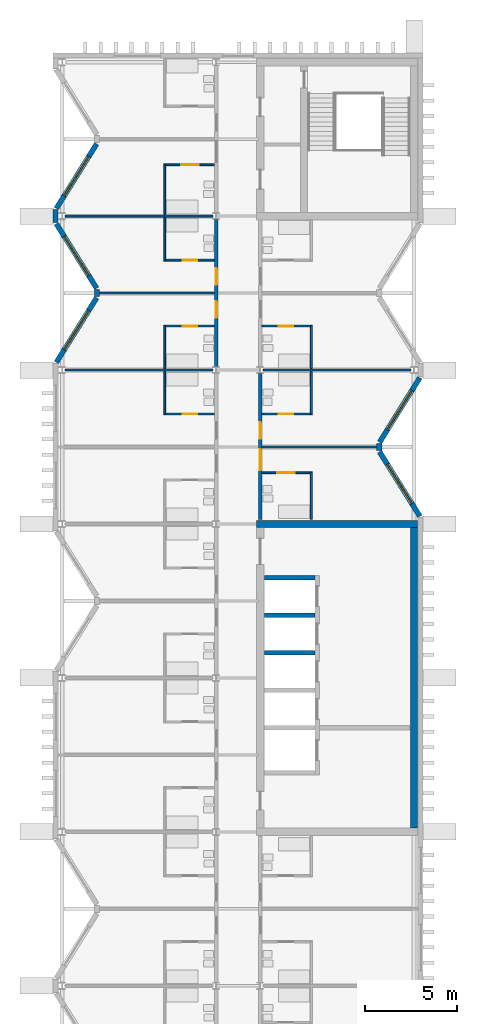
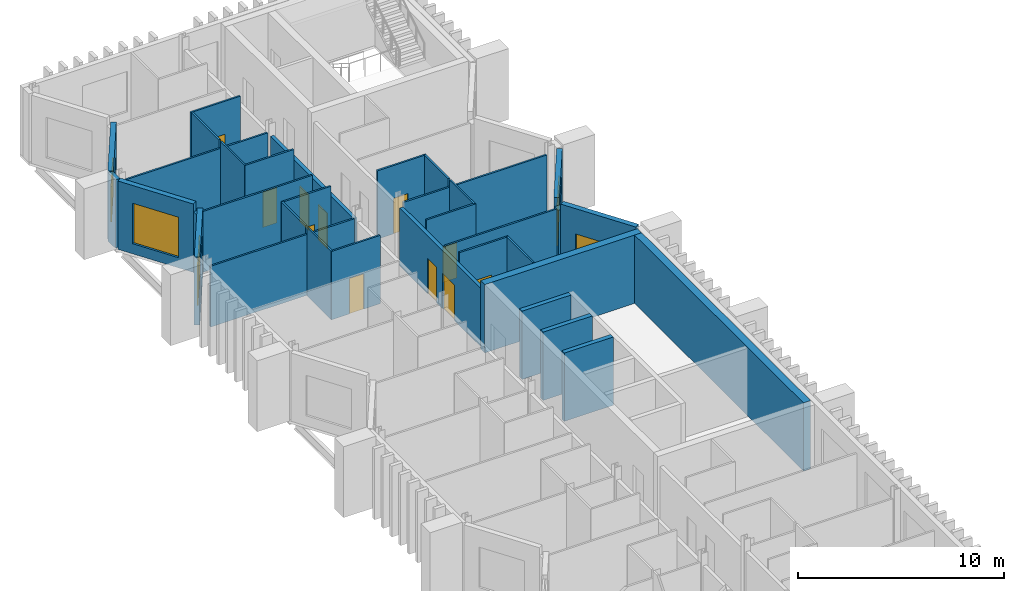
# One storey, part 7 of 11: 34 walls, 11 doors, 5 windows, 16 openings.
"""IFC4 building model written with IfcOpenShell, lengths in metres."""

from ifc_helpers import new_model, si_unit, direction, frame, frame_2d, origin, place, context, subcontext, project, spatial, rectangle, extrude, material, layer, layer_set, type_object, element, fill, save


model = new_model("IFC4")

# Units and contexts
model_context = context("Model", 3, precision=1e-05, world=origin(), true_north=direction((0.0, 1.0)))
body_context = subcontext(model_context, "Body", "Model", "MODEL_VIEW")
ifc_project = project(units=[si_unit("LENGTHUNIT", "METRE"), si_unit("AREAUNIT", "SQUARE_METRE"), si_unit("VOLUMEUNIT", "CUBIC_METRE"), si_unit("PLANEANGLEUNIT", "RADIAN"), si_unit("MASSUNIT", "GRAM", prefix="KILO")], contexts=[model_context])

# Site, building, storey
site_placement = place(None, origin())
site = spatial("IfcSite", under=ifc_project, at=site_placement, CompositionType="ELEMENT")
building_placement = place(site_placement, origin())
building = spatial("IfcBuilding", under=site, at=building_placement, Name="Cresset Court Congress Hotel", CompositionType="ELEMENT")
storey_placement = place(building_placement, frame((0.0, 0.0, 39.60009765625)))
storey = spatial("IfcBuildingStorey", under=building, at=storey_placement, Name="L09", CompositionType="ELEMENT", Elevation=39.60009765625)

# Wall, openings, doors
ifc_material_1 = material(Name="Gypsum board partition")
ifc_layer_1 = layer(ifc_material_1, 0.199951171875)
ifc_layer_set_1 = layer_set([ifc_layer_1], Name="Corridor wall 200")
wall_type_1 = type_object("IfcWallType", Name="Corridor wall 200", PredefinedType="PARTITIONING", material=ifc_layer_set_1)
wall_1_placement = place(storey_placement, frame((165.60009765625, 50.574951171875, 0.0), z_axis=(0.0, 0.0, 1.0), x_axis=(0.0, 1.0, 0.0)))
wall_1 = element("IfcWall", 1, at=wall_1_placement, inside=storey, type_object=wall_type_1, Name="A.wl.L09.076", PredefinedType="PARTITIONING", context=body_context, shape_type="SweptSolid", body=[
    extrude(rectangle(XDim=8.050048828125, YDim=0.199951171875, at=frame_2d((4.02490234375, 0.0))), origin(), (0.0, 0.0, 1.0), 3.449951171875),
])
opening_1_placement = place(wall_1_placement, frame((2.675048828125, 0.0, 0.0)))
opening_1 = element("IfcOpeningElement", 2, at=opening_1_placement, cuts=wall_1, Name="Opening DA-09-26", PredefinedType="OPENING", context=body_context, shape_type="SweptSolid", body=[
    extrude(rectangle(XDim=0.89990234375, YDim=2.10009765625, at=frame_2d((0.449951171875, 1.050048828125))), frame((0.0, 0.10986328125, 0.0), z_axis=(0.0, -1.0, 0.0), x_axis=(1.0, 0.0, 0.0)), (0.0, 0.0, 1.0), 0.219970703125),
])
opening_2_placement = place(wall_1_placement, frame((4.47509765625, 0.0, 0.0)))
opening_2 = element("IfcOpeningElement", 3, at=opening_2_placement, cuts=wall_1, Name="Opening DA-09-28", PredefinedType="OPENING", context=body_context, shape_type="SweptSolid", body=[
    extrude(rectangle(XDim=0.89990234375, YDim=2.10009765625, at=frame_2d((0.449951171875, 1.050048828125))), frame((0.0, 0.10986328125, 0.0), z_axis=(0.0, -1.0, 0.0), x_axis=(1.0, 0.0, 0.0)), (0.0, 0.0, 1.0), 0.219970703125),
])
ifc_material_2 = material(Name="timber", Category="wood")
door_type_1 = type_object("IfcDoorType", Name="Guest-room entry door 900x2100 FD30S", OperationType="SINGLE_SWING_LEFT", PredefinedType="DOOR", material=ifc_material_2)
door_1_placement = place(opening_1_placement, origin())
door_1 = element("IfcDoor", 4, at=door_1_placement, inside=storey, type_object=door_type_1, Name="Door DA-09-26", OperationType="SINGLE_SWING_RIGHT", OverallHeight=2.10009765625, OverallWidth=0.89990234375, PredefinedType="DOOR", context=body_context, shape_type="SweptSolid", body=[
    extrude(rectangle(XDim=0.89990234375, YDim=2.10009765625, at=frame_2d((0.449951171875, 1.050048828125))), frame((0.0, 0.02490234375, 0.0), z_axis=(0.0, -1.0, 0.0), x_axis=(1.0, 0.0, 0.0)), (0.0, 0.0, 1.0), 0.050048828125),
])
fill(opening_1, door_1)
door_2_placement = place(opening_2_placement, origin())
door_2 = element("IfcDoor", 5, at=door_2_placement, inside=storey, type_object=door_type_1, Name="Door DA-09-28", OperationType="SINGLE_SWING_LEFT", OverallHeight=2.10009765625, OverallWidth=0.89990234375, PredefinedType="DOOR", context=body_context, shape_type="SweptSolid", body=[
    extrude(rectangle(XDim=0.89990234375, YDim=2.10009765625, at=frame_2d((0.449951171875, 1.050048828125))), frame((0.0, 0.02490234375, 0.0), z_axis=(0.0, -1.0, 0.0), x_axis=(1.0, 0.0, 0.0)), (0.0, 0.0, 1.0), 0.050048828125),
])
fill(opening_2, door_2)

wall_2_placement = place(storey_placement, frame((168.0, 42.25, 0.0), z_axis=(0.0, 0.0, 1.0), x_axis=(0.0, 1.0, 0.0)))
wall_2 = element("IfcWall", 6, at=wall_2_placement, inside=storey, type_object=wall_type_1, Name="A.wl.L09.080", PredefinedType="PARTITIONING", context=body_context, shape_type="SweptSolid", body=[
    extrude(rectangle(XDim=7.97509765625, YDim=0.199951171875, at=frame_2d((3.987548828125, 0.0))), origin(), (0.0, 0.0, 1.0), 3.449951171875),
])
opening_3_placement = place(wall_2_placement, frame((2.675048828125, 0.0, 0.0)))
opening_3 = element("IfcOpeningElement", 7, at=opening_3_placement, cuts=wall_2, Name="Opening DA-09-42", PredefinedType="OPENING", context=body_context, shape_type="SweptSolid", body=[
    extrude(rectangle(XDim=1.14990234375, YDim=2.10009765625, at=frame_2d((0.574951171875, 1.050048828125))), frame((0.0, 0.10986328125, 0.0), z_axis=(0.0, -1.0, 0.0), x_axis=(1.0, 0.0, 0.0)), (0.0, 0.0, 1.0), 0.219970703125),
])
opening_4_placement = place(wall_2_placement, frame((4.39990234375, 0.0, 0.0)))
opening_4 = element("IfcOpeningElement", 8, at=opening_4_placement, cuts=wall_2, Name="Opening DA-09-44", PredefinedType="OPENING", context=body_context, shape_type="SweptSolid", body=[
    extrude(rectangle(XDim=0.89990234375, YDim=2.10009765625, at=frame_2d((0.449951171875, 1.050048828125))), frame((0.0, 0.10986328125, 0.0), z_axis=(0.0, -1.0, 0.0), x_axis=(1.0, 0.0, 0.0)), (0.0, 0.0, 1.0), 0.219970703125),
])
ifc_material_3 = material(Name="timber", Category="wood")
door_type_2 = type_object("IfcDoorType", Name="Accessible guest-room entry door 1150x2100 FD30S", OperationType="SINGLE_SWING_LEFT", PredefinedType="DOOR", material=ifc_material_3)
door_3_placement = place(opening_3_placement, origin())
door_3 = element("IfcDoor", 9, at=door_3_placement, inside=storey, type_object=door_type_2, Name="Door DA-09-42", OperationType="SINGLE_SWING_RIGHT", OverallHeight=2.10009765625, OverallWidth=1.14990234375, PredefinedType="DOOR", context=body_context, shape_type="SweptSolid", body=[
    extrude(rectangle(XDim=1.14990234375, YDim=2.10009765625, at=frame_2d((0.574951171875, 1.050048828125))), frame((0.0, 0.02490234375, 0.0), z_axis=(0.0, -1.0, 0.0), x_axis=(1.0, 0.0, 0.0)), (0.0, 0.0, 1.0), 0.050048828125),
])
fill(opening_3, door_3)
door_4_placement = place(opening_4_placement, origin())
door_4 = element("IfcDoor", 10, at=door_4_placement, inside=storey, type_object=door_type_1, Name="Door DA-09-44", OperationType="SINGLE_SWING_LEFT", OverallHeight=2.10009765625, OverallWidth=0.89990234375, PredefinedType="DOOR", context=body_context, shape_type="SweptSolid", body=[
    extrude(rectangle(XDim=0.89990234375, YDim=2.10009765625, at=frame_2d((0.449951171875, 1.050048828125))), frame((0.0, 0.02490234375, 0.0), z_axis=(0.0, -1.0, 0.0), x_axis=(1.0, 0.0, 0.0)), (0.0, 0.0, 1.0), 0.050048828125),
])
fill(opening_4, door_4)

# Wall
ifc_material_4 = material(Name="Gypsum board partition")
ifc_layer_2 = layer(ifc_material_4, 0.10009765625)
ifc_layer_set_2 = layer_set([ifc_layer_2], Name="En-suite wall 100")
wall_type_2 = type_object("IfcWallType", Name="En-suite wall 100", PredefinedType="PARTITIONING", material=ifc_layer_set_2)
wall_3_placement = place(storey_placement, frame((162.800048828125, 48.0, 0.0), z_axis=(0.0, 0.0, 1.0), x_axis=(0.0, 1.0, 0.0)))
element("IfcWall", 11, at=wall_3_placement, inside=storey, type_object=wall_type_2, Name="A.wl.L09.023", PredefinedType="PARTITIONING", context=body_context, shape_type="SweptSolid", body=[
    extrude(rectangle(XDim=2.324951171875, YDim=0.10009765625, at=frame_2d((1.16259765625, 0.0))), origin(), (0.0, 0.0, 1.0), 4.0498046875),
])

# Wall, opening, door
wall_4_placement = place(storey_placement, frame((162.75, 48.0, 0.0), z_axis=(0.0, 0.0, 1.0), x_axis=(1.0, 0.0, 0.0)))
wall_4 = element("IfcWall", 12, at=wall_4_placement, inside=storey, type_object=wall_type_2, Name="A.wl.L09.024", PredefinedType="PARTITIONING", context=body_context, shape_type="SweptSolid", body=[
    extrude(rectangle(XDim=2.75, YDim=0.10009765625, at=frame_2d((1.375, 0.0))), origin(), (0.0, 0.0, 1.0), 4.0498046875),
])
opening_5_placement = place(wall_4_placement, frame((1.030029296875, 0.0, 0.0)))
opening_5 = element("IfcOpeningElement", 13, at=opening_5_placement, cuts=wall_4, Name="Opening DA-09-23", PredefinedType="OPENING", context=body_context, shape_type="SweptSolid", body=[
    extrude(rectangle(XDim=0.800048828125, YDim=2.10009765625, at=frame_2d((0.39990234375, 1.050048828125))), frame((0.0, 0.06005859375, 0.0), z_axis=(0.0, -1.0, 0.0), x_axis=(1.0, 0.0, 0.0)), (0.0, 0.0, 1.0), 0.1201171875),
])
ifc_material_5 = material(Name="timber", Category="wood")
door_type_3 = type_object("IfcDoorType", Name="En-suite door 800x2100", OperationType="SINGLE_SWING_LEFT", PredefinedType="DOOR", material=ifc_material_5)
door_5_placement = place(opening_5_placement, origin())
door_5 = element("IfcDoor", 14, at=door_5_placement, inside=storey, type_object=door_type_3, Name="Door DA-09-23", OperationType="SINGLE_SWING_LEFT", OverallHeight=2.10009765625, OverallWidth=0.800048828125, PredefinedType="DOOR", context=body_context, shape_type="SweptSolid", body=[
    extrude(rectangle(XDim=0.800048828125, YDim=2.10009765625, at=frame_2d((0.39990234375, 1.050048828125))), frame((0.0, 0.02490234375, 0.0), z_axis=(0.0, -1.0, 0.0), x_axis=(1.0, 0.0, 0.0)), (0.0, 0.0, 1.0), 0.050048828125),
])
fill(opening_5, door_5)

# Wall
wall_5_placement = place(storey_placement, frame((162.800048828125, 50.47509765625, 0.0), z_axis=(0.0, 0.0, 1.0), x_axis=(0.0, 1.0, 0.0)))
element("IfcWall", 15, at=wall_5_placement, inside=storey, type_object=wall_type_2, Name="A.wl.L09.025", PredefinedType="PARTITIONING", context=body_context, shape_type="SweptSolid", body=[
    extrude(rectangle(XDim=2.324951171875, YDim=0.10009765625, at=frame_2d((1.16259765625, 0.0))), origin(), (0.0, 0.0, 1.0), 4.0498046875),
])

# Wall, opening, door
wall_6_placement = place(storey_placement, frame((162.75, 52.800048828125, 0.0), z_axis=(0.0, 0.0, 1.0), x_axis=(1.0, 0.0, 0.0)))
wall_6 = element("IfcWall", 16, at=wall_6_placement, inside=storey, type_object=wall_type_2, Name="A.wl.L09.026", PredefinedType="PARTITIONING", context=body_context, shape_type="SweptSolid", body=[
    extrude(rectangle(XDim=2.75, YDim=0.10009765625, at=frame_2d((1.375, 0.0))), origin(), (0.0, 0.0, 1.0), 4.0498046875),
])
opening_6_placement = place(wall_6_placement, frame((1.030029296875, 0.0, 0.0)))
opening_6 = element("IfcOpeningElement", 17, at=opening_6_placement, cuts=wall_6, Name="Opening DA-09-25", PredefinedType="OPENING", context=body_context, shape_type="SweptSolid", body=[
    extrude(rectangle(XDim=0.800048828125, YDim=2.10009765625, at=frame_2d((0.39990234375, 1.050048828125))), frame((0.0, 0.06005859375, 0.0), z_axis=(0.0, -1.0, 0.0), x_axis=(1.0, 0.0, 0.0)), (0.0, 0.0, 1.0), 0.1201171875),
])
door_6_placement = place(opening_6_placement, origin())
door_6 = element("IfcDoor", 18, at=door_6_placement, inside=storey, type_object=door_type_3, Name="Door DA-09-25", OperationType="SINGLE_SWING_RIGHT", OverallHeight=2.10009765625, OverallWidth=0.800048828125, PredefinedType="DOOR", context=body_context, shape_type="SweptSolid", body=[
    extrude(rectangle(XDim=0.800048828125, YDim=2.10009765625, at=frame_2d((0.39990234375, 1.050048828125))), frame((0.0, 0.02490234375, 0.0), z_axis=(0.0, -1.0, 0.0), x_axis=(1.0, 0.0, 0.0)), (0.0, 0.0, 1.0), 0.050048828125),
])
fill(opening_6, door_6)

# Wall
wall_7_placement = place(storey_placement, frame((162.800048828125, 56.39990234375, 0.0), z_axis=(0.0, 0.0, 1.0), x_axis=(0.0, 1.0, 0.0)))
element("IfcWall", 19, at=wall_7_placement, inside=storey, type_object=wall_type_2, Name="A.wl.L09.027", PredefinedType="PARTITIONING", context=body_context, shape_type="SweptSolid", body=[
    extrude(rectangle(XDim=2.3251953125, YDim=0.10009765625, at=frame_2d((1.16259765625, 0.0))), origin(), (0.0, 0.0, 1.0), 4.0498046875),
])

# Wall, opening, door
wall_8_placement = place(storey_placement, frame((162.75, 56.39990234375, 0.0), z_axis=(0.0, 0.0, 1.0), x_axis=(1.0, 0.0, 0.0)))
wall_8 = element("IfcWall", 20, at=wall_8_placement, inside=storey, type_object=wall_type_2, Name="A.wl.L09.028", PredefinedType="PARTITIONING", context=body_context, shape_type="SweptSolid", body=[
    extrude(rectangle(XDim=2.75, YDim=0.10009765625, at=frame_2d((1.375, 0.0))), origin(), (0.0, 0.0, 1.0), 4.0498046875),
])
opening_7_placement = place(wall_8_placement, frame((1.030029296875, 0.0, 0.0)))
opening_7 = element("IfcOpeningElement", 21, at=opening_7_placement, cuts=wall_8, Name="Opening DA-09-27", PredefinedType="OPENING", context=body_context, shape_type="SweptSolid", body=[
    extrude(rectangle(XDim=0.800048828125, YDim=2.10009765625, at=frame_2d((0.39990234375, 1.050048828125))), frame((0.0, 0.06005859375, 0.0), z_axis=(0.0, -1.0, 0.0), x_axis=(1.0, 0.0, 0.0)), (0.0, 0.0, 1.0), 0.1201171875),
])
door_7_placement = place(opening_7_placement, origin())
door_7 = element("IfcDoor", 22, at=door_7_placement, inside=storey, type_object=door_type_3, Name="Door DA-09-27", OperationType="SINGLE_SWING_LEFT", OverallHeight=2.10009765625, OverallWidth=0.800048828125, PredefinedType="DOOR", context=body_context, shape_type="SweptSolid", body=[
    extrude(rectangle(XDim=0.800048828125, YDim=2.10009765625, at=frame_2d((0.39990234375, 1.050048828125))), frame((0.0, 0.02490234375, 0.0), z_axis=(0.0, -1.0, 0.0), x_axis=(1.0, 0.0, 0.0)), (0.0, 0.0, 1.0), 0.050048828125),
])
fill(opening_7, door_7)

# Wall
wall_9_placement = place(storey_placement, frame((162.800048828125, 58.875, 0.0), z_axis=(0.0, 0.0, 1.0), x_axis=(0.0, 1.0, 0.0)))
element("IfcWall", 23, at=wall_9_placement, inside=storey, type_object=wall_type_2, Name="A.wl.L09.029", PredefinedType="PARTITIONING", context=body_context, shape_type="SweptSolid", body=[
    extrude(rectangle(XDim=2.72509765625, YDim=0.10009765625, at=frame_2d((1.362548828125, 0.0))), origin(), (0.0, 0.0, 1.0), 4.0498046875),
])

# Wall, opening, door
wall_10_placement = place(storey_placement, frame((162.75, 61.60009765625, 0.0), z_axis=(0.0, 0.0, 1.0), x_axis=(1.0, 0.0, 0.0)))
wall_10 = element("IfcWall", 24, at=wall_10_placement, inside=storey, type_object=wall_type_2, Name="A.wl.L09.030", PredefinedType="PARTITIONING", context=body_context, shape_type="SweptSolid", body=[
    extrude(rectangle(XDim=2.75, YDim=0.10009765625, at=frame_2d((1.375, 0.0))), origin(), (0.0, 0.0, 1.0), 4.0498046875),
])
opening_8_placement = place(wall_10_placement, frame((0.955078125, 0.0, 0.0)))
opening_8 = element("IfcOpeningElement", 25, at=opening_8_placement, cuts=wall_10, Name="Opening DA-09-29", PredefinedType="OPENING", context=body_context, shape_type="SweptSolid", body=[
    extrude(rectangle(XDim=0.949951171875, YDim=2.10009765625, at=frame_2d((0.47509765625, 1.050048828125))), frame((0.0, 0.06005859375, 0.0), z_axis=(0.0, -1.0, 0.0), x_axis=(1.0, 0.0, 0.0)), (0.0, 0.0, 1.0), 0.1201171875),
])
ifc_material_6 = material(Name="timber", Category="wood")
door_type_4 = type_object("IfcDoorType", Name="Accessible en-suite door 950x2100", OperationType="SINGLE_SWING_LEFT", PredefinedType="DOOR", material=ifc_material_6)
door_8_placement = place(opening_8_placement, origin())
door_8 = element("IfcDoor", 26, at=door_8_placement, inside=storey, type_object=door_type_4, Name="Door DA-09-29", OperationType="SINGLE_SWING_RIGHT", OverallHeight=2.10009765625, OverallWidth=0.949951171875, PredefinedType="DOOR", context=body_context, shape_type="SweptSolid", body=[
    extrude(rectangle(XDim=0.949951171875, YDim=2.10009765625, at=frame_2d((0.47509765625, 1.050048828125))), frame((0.0, 0.02490234375, 0.0), z_axis=(0.0, -1.0, 0.0), x_axis=(1.0, 0.0, 0.0)), (0.0, 0.0, 1.0), 0.050048828125),
])
fill(opening_8, door_8)

# Wall
wall_11_placement = place(storey_placement, frame((170.800048828125, 42.25, 0.0), z_axis=(0.0, 0.0, 1.0), x_axis=(0.0, 1.0, 0.0)))
element("IfcWall", 27, at=wall_11_placement, inside=storey, type_object=wall_type_2, Name="A.wl.L09.041", PredefinedType="PARTITIONING", context=body_context, shape_type="SweptSolid", body=[
    extrude(rectangle(XDim=2.550048828125, YDim=0.10009765625, at=frame_2d((1.27490234375, 0.0))), origin(), (0.0, 0.0, 1.0), 4.0498046875),
])

# Wall, opening, door
wall_12_placement = place(storey_placement, frame((170.85009765625, 44.800048828125, 0.0), z_axis=(0.0, 0.0, 1.0), x_axis=(-1.0, 0.0, 0.0)))
wall_12 = element("IfcWall", 28, at=wall_12_placement, inside=storey, type_object=wall_type_2, Name="A.wl.L09.042", PredefinedType="PARTITIONING", context=body_context, shape_type="SweptSolid", body=[
    extrude(rectangle(XDim=2.75, YDim=0.10009765625, at=frame_2d((1.375, 0.0))), origin(), (0.0, 0.0, 1.0), 4.0498046875),
])
opening_9_placement = place(wall_12_placement, frame((0.955078125, 0.0, 0.0)))
opening_9 = element("IfcOpeningElement", 29, at=opening_9_placement, cuts=wall_12, Name="Opening DA-09-41", PredefinedType="OPENING", context=body_context, shape_type="SweptSolid", body=[
    extrude(rectangle(XDim=0.949951171875, YDim=2.10009765625, at=frame_2d((0.47509765625, 1.050048828125))), frame((0.0, 0.06005859375, 0.0), z_axis=(0.0, -1.0, 0.0), x_axis=(1.0, 0.0, 0.0)), (0.0, 0.0, 1.0), 0.1201171875),
])
door_9_placement = place(opening_9_placement, origin())
door_9 = element("IfcDoor", 30, at=door_9_placement, inside=storey, type_object=door_type_4, Name="Door DA-09-41", OperationType="SINGLE_SWING_RIGHT", OverallHeight=2.10009765625, OverallWidth=0.949951171875, PredefinedType="DOOR", context=body_context, shape_type="SweptSolid", body=[
    extrude(rectangle(XDim=0.949951171875, YDim=2.10009765625, at=frame_2d((0.47509765625, 1.050048828125))), frame((0.0, 0.02490234375, 0.0), z_axis=(0.0, -1.0, 0.0), x_axis=(1.0, 0.0, 0.0)), (0.0, 0.0, 1.0), 0.050048828125),
])
fill(opening_9, door_9)

# Wall
wall_13_placement = place(storey_placement, frame((170.800048828125, 48.0, 0.0), z_axis=(0.0, 0.0, 1.0), x_axis=(0.0, 1.0, 0.0)))
element("IfcWall", 31, at=wall_13_placement, inside=storey, type_object=wall_type_2, Name="A.wl.L09.043", PredefinedType="PARTITIONING", context=body_context, shape_type="SweptSolid", body=[
    extrude(rectangle(XDim=2.324951171875, YDim=0.10009765625, at=frame_2d((1.16259765625, 0.0))), origin(), (0.0, 0.0, 1.0), 4.0498046875),
])

# Wall, opening, door
wall_14_placement = place(storey_placement, frame((170.85009765625, 48.0, 0.0), z_axis=(0.0, 0.0, 1.0), x_axis=(-1.0, 0.0, 0.0)))
wall_14 = element("IfcWall", 32, at=wall_14_placement, inside=storey, type_object=wall_type_2, Name="A.wl.L09.044", PredefinedType="PARTITIONING", context=body_context, shape_type="SweptSolid", body=[
    extrude(rectangle(XDim=2.75, YDim=0.10009765625, at=frame_2d((1.375, 0.0))), origin(), (0.0, 0.0, 1.0), 4.0498046875),
])
opening_10_placement = place(wall_14_placement, frame((1.030029296875, 0.0, 0.0)))
opening_10 = element("IfcOpeningElement", 33, at=opening_10_placement, cuts=wall_14, Name="Opening DA-09-43", PredefinedType="OPENING", context=body_context, shape_type="SweptSolid", body=[
    extrude(rectangle(XDim=0.800048828125, YDim=2.10009765625, at=frame_2d((0.39990234375, 1.050048828125))), frame((0.0, 0.06005859375, 0.0), z_axis=(0.0, -1.0, 0.0), x_axis=(1.0, 0.0, 0.0)), (0.0, 0.0, 1.0), 0.1201171875),
])
door_10_placement = place(opening_10_placement, origin())
door_10 = element("IfcDoor", 34, at=door_10_placement, inside=storey, type_object=door_type_3, Name="Door DA-09-43", OperationType="SINGLE_SWING_LEFT", OverallHeight=2.10009765625, OverallWidth=0.800048828125, PredefinedType="DOOR", context=body_context, shape_type="SweptSolid", body=[
    extrude(rectangle(XDim=0.800048828125, YDim=2.10009765625, at=frame_2d((0.39990234375, 1.050048828125))), frame((0.0, 0.02490234375, 0.0), z_axis=(0.0, -1.0, 0.0), x_axis=(1.0, 0.0, 0.0)), (0.0, 0.0, 1.0), 0.050048828125),
])
fill(opening_10, door_10)

# Wall
wall_15_placement = place(storey_placement, frame((170.800048828125, 50.47509765625, 0.0), z_axis=(0.0, 0.0, 1.0), x_axis=(0.0, 1.0, 0.0)))
element("IfcWall", 35, at=wall_15_placement, inside=storey, type_object=wall_type_2, Name="A.wl.L09.045", PredefinedType="PARTITIONING", context=body_context, shape_type="SweptSolid", body=[
    extrude(rectangle(XDim=2.324951171875, YDim=0.10009765625, at=frame_2d((1.16259765625, 0.0))), origin(), (0.0, 0.0, 1.0), 4.0498046875),
])

# Wall, opening, door
wall_16_placement = place(storey_placement, frame((170.85009765625, 52.800048828125, 0.0), z_axis=(0.0, 0.0, 1.0), x_axis=(-1.0, 0.0, 0.0)))
wall_16 = element("IfcWall", 36, at=wall_16_placement, inside=storey, type_object=wall_type_2, Name="A.wl.L09.046", PredefinedType="PARTITIONING", context=body_context, shape_type="SweptSolid", body=[
    extrude(rectangle(XDim=2.75, YDim=0.10009765625, at=frame_2d((1.375, 0.0))), origin(), (0.0, 0.0, 1.0), 4.0498046875),
])
opening_11_placement = place(wall_16_placement, frame((1.030029296875, 0.0, 0.0)))
opening_11 = element("IfcOpeningElement", 37, at=opening_11_placement, cuts=wall_16, Name="Opening DA-09-45", PredefinedType="OPENING", context=body_context, shape_type="SweptSolid", body=[
    extrude(rectangle(XDim=0.800048828125, YDim=2.10009765625, at=frame_2d((0.39990234375, 1.050048828125))), frame((0.0, 0.06005859375, 0.0), z_axis=(0.0, -1.0, 0.0), x_axis=(1.0, 0.0, 0.0)), (0.0, 0.0, 1.0), 0.1201171875),
])
door_11_placement = place(opening_11_placement, origin())
door_11 = element("IfcDoor", 38, at=door_11_placement, inside=storey, type_object=door_type_3, Name="Door DA-09-45", OperationType="SINGLE_SWING_RIGHT", OverallHeight=2.10009765625, OverallWidth=0.800048828125, PredefinedType="DOOR", context=body_context, shape_type="SweptSolid", body=[
    extrude(rectangle(XDim=0.800048828125, YDim=2.10009765625, at=frame_2d((0.39990234375, 1.050048828125))), frame((0.0, 0.02490234375, 0.0), z_axis=(0.0, -1.0, 0.0), x_axis=(1.0, 0.0, 0.0)), (0.0, 0.0, 1.0), 0.050048828125),
])
fill(opening_11, door_11)

# Wall, opening, window
ifc_material_7 = material(Name="Precast concrete C50", Category="concrete")
ifc_layer_3 = layer(ifc_material_7, 0.280029296875)
ifc_layer_set_3 = layer_set([ifc_layer_3], Name="External wall 280")
wall_type_3 = type_object("IfcWallType", Name="External wall 280", PredefinedType="SOLIDWALL", material=ifc_layer_set_3)
wall_17_placement = place(storey_placement, frame((156.88623046875, 50.82421875, 0.0), z_axis=(0.0, 0.0, 1.0), x_axis=(0.529018946142, 0.848610013271, 0.0)))
wall_17 = element("IfcWall", 39, at=wall_17_placement, inside=storey, type_object=wall_type_3, Name="A.ew.L09.Wn.6.0", PredefinedType="SOLIDWALL", context=body_context, shape_type="SweptSolid", body=[
    extrude(rectangle(XDim=4.144287109375, YDim=0.280029296875, at=frame_2d((2.072265625, 0.0))), origin(), (0.0, 0.0, 1.0), 4.0498046875),
])
opening_12_placement = place(wall_17_placement, frame((0.812255859375, 0.0, 0.60009765625)))
opening_12 = element("IfcOpeningElement", 40, at=opening_12_placement, cuts=wall_17, Name="Opening NA-09-13", PredefinedType="OPENING", context=body_context, shape_type="SweptSolid", body=[
    extrude(rectangle(XDim=2.52001953125, YDim=2.39990234375, at=frame_2d((1.260009765625, 1.199951171875))), frame((0.0, 0.14990234375, 0.0), z_axis=(0.0, -1.0, 0.0), x_axis=(1.0, 0.0, 0.0)), (0.0, 0.0, 1.0), 0.300048828125),
])
ifc_material_8 = material(Name="Aluminium and glass", Category="aluminium")
window_type_1 = type_object("IfcWindowType", Name="Window 2520x2400", PartitioningType="SINGLE_PANEL", PredefinedType="WINDOW", material=ifc_material_8)
window_1_placement = place(opening_12_placement, origin())
window_1 = element("IfcWindow", 41, at=window_1_placement, inside=storey, type_object=window_type_1, Name="Window NA-09-13", OverallHeight=2.39990234375, OverallWidth=2.52001953125, PartitioningType="SINGLE_PANEL", PredefinedType="WINDOW", context=body_context, shape_type="SweptSolid", body=[
    extrude(rectangle(XDim=2.52001953125, YDim=2.39990234375, at=frame_2d((1.260009765625, 1.199951171875))), frame((0.0, 0.030029296875, 0.0), z_axis=(0.0, -1.0, 0.0), x_axis=(1.0, 0.0, 0.0)), (0.0, 0.0, 1.0), 0.06005859375),
])
fill(opening_12, window_1)

wall_18_placement = place(storey_placement, frame((159.07861328125, 54.85888671875, 0.0), z_axis=(0.0, 0.0, 1.0), x_axis=(-0.528992500338, 0.848626498871, 0.0)))
wall_18 = element("IfcWall", 42, at=wall_18_placement, inside=storey, type_object=wall_type_3, Name="A.ew.L09.Wn.6.1", PredefinedType="SOLIDWALL", context=body_context, shape_type="SweptSolid", body=[
    extrude(rectangle(XDim=4.14453125, YDim=0.280029296875, at=frame_2d((2.072265625, 0.0))), origin(), (0.0, 0.0, 1.0), 4.0498046875),
])
opening_13_placement = place(wall_18_placement, frame((0.812255859375, 0.0, 0.60009765625)))
opening_13 = element("IfcOpeningElement", 43, at=opening_13_placement, cuts=wall_18, Name="Opening NA-09-14", PredefinedType="OPENING", context=body_context, shape_type="SweptSolid", body=[
    extrude(rectangle(XDim=2.52001953125, YDim=2.39990234375, at=frame_2d((1.260009765625, 1.199951171875))), frame((0.0, 0.14990234375, 0.0), z_axis=(0.0, -1.0, 0.0), x_axis=(1.0, 0.0, 0.0)), (0.0, 0.0, 1.0), 0.300048828125),
])
window_2_placement = place(opening_13_placement, origin())
window_2 = element("IfcWindow", 44, at=window_2_placement, inside=storey, type_object=window_type_1, Name="Window NA-09-14", OverallHeight=2.39990234375, OverallWidth=2.52001953125, PartitioningType="SINGLE_PANEL", PredefinedType="WINDOW", context=body_context, shape_type="SweptSolid", body=[
    extrude(rectangle(XDim=2.52001953125, YDim=2.39990234375, at=frame_2d((1.260009765625, 1.199951171875))), frame((0.0, 0.030029296875, 0.0), z_axis=(0.0, -1.0, 0.0), x_axis=(1.0, 0.0, 0.0)), (0.0, 0.0, 1.0), 0.06005859375),
])
fill(opening_13, window_2)

# Walls
wall_19_placement = place(storey_placement, frame((159.099609375, 54.4150390625, 0.0), z_axis=(0.0, 0.0, 1.0), x_axis=(0.0, 1.0, 0.0)))
element("IfcWall", 45, at=wall_19_placement, inside=storey, type_object=wall_type_3, Name="A.ew.L09.Wn.6.2", PredefinedType="SOLIDWALL", context=body_context, shape_type="SweptSolid", body=[
    extrude(rectangle(XDim=0.369873046875, YDim=0.280029296875, at=frame_2d((0.18505859375, 0.0))), origin(), (0.0, 0.0, 1.0), 3.60400390625),
])
wall_20_placement = place(storey_placement, frame((156.840087890625, 58.449951171875, 0.0), z_axis=(0.0, 0.0, 1.0), x_axis=(0.0, 1.0, 0.0)))
element("IfcWall", 46, at=wall_20_placement, inside=storey, type_object=wall_type_3, Name="A.ew.L09.W.5", PredefinedType="SOLIDWALL", context=body_context, shape_type="SweptSolid", body=[
    extrude(rectangle(XDim=0.699951171875, YDim=0.280029296875, at=frame_2d((0.35009765625, 0.0))), origin(), (0.0, 0.0, 1.0), 4.0498046875),
])

# Wall, opening, window
wall_21_placement = place(storey_placement, frame((156.88623046875, 59.22412109375, 0.0), z_axis=(0.0, 0.0, 1.0), x_axis=(0.529018946142, 0.848610013271, 0.0)))
wall_21 = element("IfcWall", 47, at=wall_21_placement, inside=storey, type_object=wall_type_3, Name="A.ew.L09.Wn.7.0", PredefinedType="SOLIDWALL", context=body_context, shape_type="SweptSolid", body=[
    extrude(rectangle(XDim=4.144287109375, YDim=0.280029296875, at=frame_2d((2.072265625, 0.0))), origin(), (0.0, 0.0, 1.0), 4.0498046875),
])
opening_14_placement = place(wall_21_placement, frame((0.812255859375, 0.0, 0.449951171875)))
opening_14 = element("IfcOpeningElement", 48, at=opening_14_placement, cuts=wall_21, Name="Opening NA-09-15", PredefinedType="OPENING", context=body_context, shape_type="SweptSolid", body=[
    extrude(rectangle(XDim=2.52001953125, YDim=2.10009765625, at=frame_2d((1.260009765625, 1.050048828125))), frame((0.0, 0.14990234375, 0.0), z_axis=(0.0, -1.0, 0.0), x_axis=(1.0, 0.0, 0.0)), (0.0, 0.0, 1.0), 0.300048828125),
])
ifc_material_9 = material(Name="Aluminium and glass", Category="aluminium")
window_type_2 = type_object("IfcWindowType", Name="Window 2520x2100", PartitioningType="SINGLE_PANEL", PredefinedType="WINDOW", material=ifc_material_9)
window_3_placement = place(opening_14_placement, origin())
window_3 = element("IfcWindow", 49, at=window_3_placement, inside=storey, type_object=window_type_2, Name="Window NA-09-15", OverallHeight=2.10009765625, OverallWidth=2.52001953125, PartitioningType="SINGLE_PANEL", PredefinedType="WINDOW", context=body_context, shape_type="SweptSolid", body=[
    extrude(rectangle(XDim=2.52001953125, YDim=2.10009765625, at=frame_2d((1.260009765625, 1.050048828125))), frame((0.0, 0.030029296875, 0.0), z_axis=(0.0, -1.0, 0.0), x_axis=(1.0, 0.0, 0.0)), (0.0, 0.0, 1.0), 0.06005859375),
])
fill(opening_14, window_3)

wall_22_placement = place(storey_placement, frame((176.7138671875, 42.424072265625, 0.0), z_axis=(0.0, 0.0, 1.0), x_axis=(-0.529018946142, 0.848610013271, 0.0)))
wall_22 = element("IfcWall", 50, at=wall_22_placement, inside=storey, type_object=wall_type_3, Name="A.ew.L09.En.5.0", PredefinedType="SOLIDWALL", context=body_context, shape_type="SweptSolid", body=[
    extrude(rectangle(XDim=4.144287109375, YDim=0.280029296875, at=frame_2d((2.072265625, 0.0))), origin(), (0.0, 0.0, 1.0), 4.0498046875),
])
opening_15_placement = place(wall_22_placement, frame((0.81201171875, 0.0, 0.449951171875)))
opening_15 = element("IfcOpeningElement", 51, at=opening_15_placement, cuts=wall_22, Name="Opening NA-09-21", PredefinedType="OPENING", context=body_context, shape_type="SweptSolid", body=[
    extrude(rectangle(XDim=2.52001953125, YDim=2.10009765625, at=frame_2d((1.260009765625, 1.050048828125))), frame((0.0, 0.14990234375, 0.0), z_axis=(0.0, -1.0, 0.0), x_axis=(1.0, 0.0, 0.0)), (0.0, 0.0, 1.0), 0.300048828125),
])
window_4_placement = place(opening_15_placement, origin())
window_4 = element("IfcWindow", 52, at=window_4_placement, inside=storey, type_object=window_type_2, Name="Window NA-09-21", OverallHeight=2.10009765625, OverallWidth=2.52001953125, PartitioningType="SINGLE_PANEL", PredefinedType="WINDOW", context=body_context, shape_type="SweptSolid", body=[
    extrude(rectangle(XDim=2.52001953125, YDim=2.10009765625, at=frame_2d((1.260009765625, 1.050048828125))), frame((0.0, 0.030029296875, 0.0), z_axis=(0.0, -1.0, 0.0), x_axis=(1.0, 0.0, 0.0)), (0.0, 0.0, 1.0), 0.06005859375),
])
fill(opening_15, window_4)

wall_23_placement = place(storey_placement, frame((174.521484375, 46.458984375, 0.0), z_axis=(0.0, 0.0, 1.0), x_axis=(0.529018946142, 0.848610013271, 0.0)))
wall_23 = element("IfcWall", 53, at=wall_23_placement, inside=storey, type_object=wall_type_3, Name="A.ew.L09.En.5.1", PredefinedType="SOLIDWALL", context=body_context, shape_type="SweptSolid", body=[
    extrude(rectangle(XDim=4.144287109375, YDim=0.280029296875, at=frame_2d((2.072265625, 0.0))), origin(), (0.0, 0.0, 1.0), 4.0498046875),
])
opening_16_placement = place(wall_23_placement, frame((0.81201171875, 0.0, 0.60009765625)))
opening_16 = element("IfcOpeningElement", 54, at=opening_16_placement, cuts=wall_23, Name="Opening NA-09-22", PredefinedType="OPENING", context=body_context, shape_type="SweptSolid", body=[
    extrude(rectangle(XDim=2.52001953125, YDim=2.39990234375, at=frame_2d((1.260009765625, 1.199951171875))), frame((0.0, 0.14990234375, 0.0), z_axis=(0.0, -1.0, 0.0), x_axis=(1.0, 0.0, 0.0)), (0.0, 0.0, 1.0), 0.300048828125),
])
window_5_placement = place(opening_16_placement, origin())
window_5 = element("IfcWindow", 55, at=window_5_placement, inside=storey, type_object=window_type_1, Name="Window NA-09-22", OverallHeight=2.39990234375, OverallWidth=2.52001953125, PartitioningType="SINGLE_PANEL", PredefinedType="WINDOW", context=body_context, shape_type="SweptSolid", body=[
    extrude(rectangle(XDim=2.52001953125, YDim=2.39990234375, at=frame_2d((1.260009765625, 1.199951171875))), frame((0.0, 0.030029296875, 0.0), z_axis=(0.0, -1.0, 0.0), x_axis=(1.0, 0.0, 0.0)), (0.0, 0.0, 1.0), 0.06005859375),
])
fill(opening_16, window_5)

# Walls
wall_24_placement = place(storey_placement, frame((174.500244140625, 46.01513671875, 0.0), z_axis=(0.0, 0.0, 1.0), x_axis=(0.0, 1.0, 0.0)))
element("IfcWall", 56, at=wall_24_placement, inside=storey, type_object=wall_type_3, Name="A.ew.L09.En.5.2", PredefinedType="SOLIDWALL", context=body_context, shape_type="SweptSolid", body=[
    extrude(rectangle(XDim=0.369873046875, YDim=0.280029296875, at=frame_2d((0.18505859375, 0.0))), origin(), (0.0, 0.0, 1.0), 3.60400390625),
])
ifc_material_10 = material(Name="Gypsum board partition")
ifc_layer_4 = layer(ifc_material_10, 0.10009765625)
ifc_layer_set_4 = layer_set([ifc_layer_4], Name="Guest-room partition 100")
wall_type_4 = type_object("IfcWallType", Name="Guest-room partition 100", PredefinedType="PARTITIONING", material=ifc_layer_set_4)
for number, where, z_axis, x_axis, name in (
    (57, (157.375, 50.39990234375, 0.0), (0.0, 0.0, 1.0), (1.0, 0.0, 0.0), "A.wl.L09.054"),
    (58, (157.375, 58.800048828125, 0.0), (0.0, 0.0, 1.0), (1.0, 0.0, 0.0), "A.wl.L09.055"),
    (59, (168.175048828125, 50.39990234375, 0.0), (0.0, 0.0, 1.0), (1.0, 0.0, 0.0), "A.wl.L09.057"),
):
    element("IfcWall", number, at=place(storey_placement, frame(where, z_axis=z_axis, x_axis=x_axis)), inside=storey, type_object=wall_type_4, Name=name, PredefinedType="PARTITIONING", context=body_context, shape_type="SweptSolid", body=[
        extrude(rectangle(XDim=8.050048828125, YDim=0.10009765625, at=frame_2d((4.02490234375, 0.0))), origin(), (0.0, 0.0, 1.0), 3.60400390625),
    ])
for number, where, z_axis, x_axis, name in (
    (60, (159.23974609375, 54.60009765625, 0.0), (0.0, 0.0, 1.0), (1.0, 0.0, 0.0), "A.wl.L09.064"),
    (61, (168.10009765625, 46.199951171875, 0.0), (0.0, 0.0, 1.0), (1.0, 0.0, 0.0), "A.wl.L09.068"),
):
    element("IfcWall", number, at=place(storey_placement, frame(where, z_axis=z_axis, x_axis=x_axis)), inside=storey, type_object=wall_type_4, Name=name, PredefinedType="PARTITIONING", context=body_context, shape_type="SweptSolid", body=[
        extrude(rectangle(XDim=6.26025390625, YDim=0.10009765625, at=frame_2d((3.130126953125, 0.0))), origin(), (0.0, 0.0, 1.0), 3.60400390625),
    ])
ifc_material_11 = material(Name="Concrete C50", Category="concrete")
ifc_layer_5 = layer(ifc_material_11, 0.39990234375)
ifc_layer_set_5 = layer_set([ifc_layer_5], Name="Lift core wall 400")
wall_type_5 = type_object("IfcWallType", Name="Lift core wall 400", PredefinedType="SOLIDWALL", material=ifc_layer_set_5)
wall_25_placement = place(storey_placement, frame((167.800048828125, 42.0, 0.0), z_axis=(0.0, 0.0, 1.0), x_axis=(1.0, 0.0, 0.0)))
element("IfcWall", 62, at=wall_25_placement, inside=storey, type_object=wall_type_5, Name="A.cw.LC-A.L09.N", PredefinedType="SOLIDWALL", context=body_context, shape_type="SweptSolid", body=[
    extrude(rectangle(XDim=8.800048828125, YDim=0.39990234375, at=frame_2d((4.39990234375, 0.0))), origin(), (0.0, 0.0, 1.0), 4.0498046875),
])
wall_26_placement = place(storey_placement, frame((176.39990234375, 25.39990234375, 0.0), z_axis=(0.0, 0.0, 1.0), x_axis=(0.0, 1.0, 0.0)))
element("IfcWall", 63, at=wall_26_placement, inside=storey, type_object=wall_type_5, Name="A.cw.LC-A.L09.E", PredefinedType="SOLIDWALL", context=body_context, shape_type="SweptSolid", body=[
    extrude(rectangle(XDim=16.400146484375, YDim=0.39990234375, at=frame_2d((8.2001953125, 0.0))), origin(), (0.0, 0.0, 1.0), 4.0498046875),
])
ifc_material_12 = material(Name="Concrete C50", Category="concrete")
ifc_layer_6 = layer(ifc_material_12, 0.25)
ifc_layer_set_6 = layer_set([ifc_layer_6], Name="Lift shaft wall 250")
wall_type_6 = type_object("IfcWallType", Name="Lift shaft wall 250", PredefinedType="SOLIDWALL", material=ifc_layer_set_6)
for number, where, z_axis, x_axis, name in (
    (64, (168.25, 34.97509765625, 0.0), (0.0, 0.0, 1.0), (1.0, 0.0, 0.0), "A.wl.L09.090"),
    (65, (168.25, 37.02490234375, 0.0), (0.0, 0.0, 1.0), (1.0, 0.0, 0.0), "A.wl.L09.091"),
    (66, (168.25, 39.074951171875, 0.0), (0.0, 0.0, 1.0), (1.0, 0.0, 0.0), "A.wl.L09.092"),
):
    element("IfcWall", number, at=place(storey_placement, frame(where, z_axis=z_axis, x_axis=x_axis)), inside=storey, type_object=wall_type_6, Name=name, PredefinedType="SOLIDWALL", context=body_context, shape_type="SweptSolid", body=[
        extrude(rectangle(XDim=2.75, YDim=0.25, at=frame_2d((1.375, 0.0))), origin(), (0.0, 0.0, 1.0), 4.0498046875),
    ])

save(model, "model.ifc")
